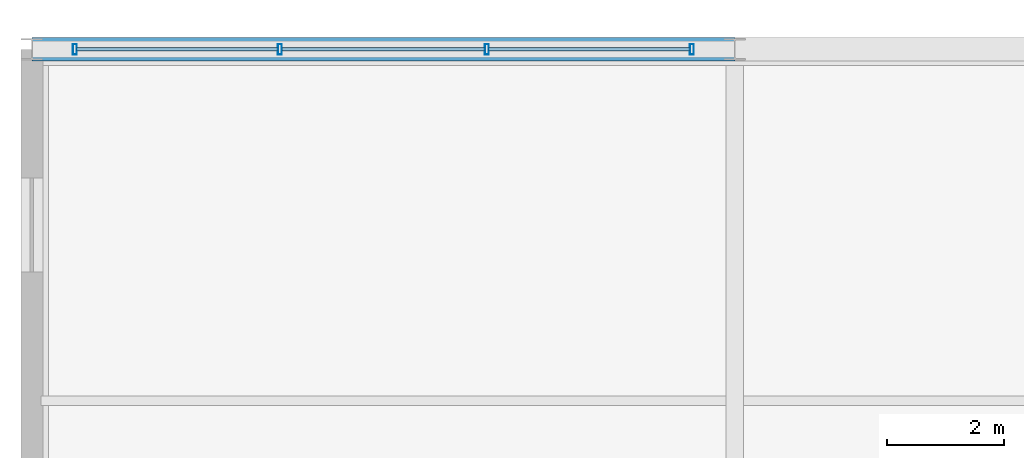
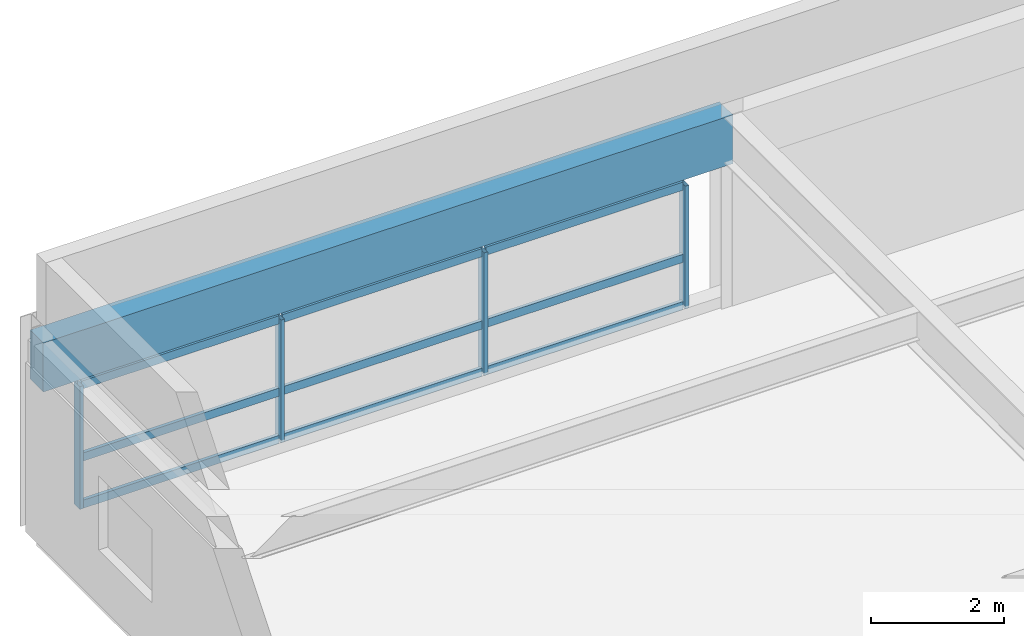
# One storey, part 43 of 108: 13 members, 1 beam, 1 element without a shape of its own.
"""IFC4 building model written with IfcOpenShell, lengths in metres."""

from ifc_helpers import new_model, si_unit, direction, frame, origin, origin_2d, place, context, subcontext, project, spatial, rectangle, hollow_rectangle, extrude, material, material_profile, profile_set, type_object, element, aggregate, save


model = new_model("IFC4")

# Units and contexts
model_context = context("Model", 3, precision=1e-05, world=origin(), true_north=direction((0.0, 1.0)))
body_context = subcontext(model_context, "Body", "Model", "MODEL_VIEW")
ifc_project = project(units=[si_unit("LENGTHUNIT", "METRE"), si_unit("AREAUNIT", "SQUARE_METRE"), si_unit("VOLUMEUNIT", "CUBIC_METRE"), si_unit("PLANEANGLEUNIT", "RADIAN"), si_unit("MASSUNIT", "GRAM", prefix="KILO")], contexts=[model_context])

# Site, building, storey
site_placement = place(None, origin())
site = spatial("IfcSite", under=ifc_project, at=site_placement, CompositionType="ELEMENT")
building_placement = place(site_placement, origin())
building = spatial("IfcBuilding", under=site, at=building_placement, Name="Kaldorvane Square Convention Centre", CompositionType="ELEMENT")
storey_placement = place(building_placement, frame((0.0, 0.0, 23.399993896484375)))
storey = spatial("IfcBuildingStorey", under=building, at=storey_placement, Name="L04", CompositionType="ELEMENT", Elevation=23.399993896484375)

# Beam
ifc_material_1 = material(Name="Concrete f'c = 42 MPa (Normalweight)", Category="concrete")
ifc_material_profile_1 = material_profile(ifc_material_1, rectangle(XDim=0.399993896484375, YDim=0.899993896484375, at=origin_2d()), Name="RCSP900X400")
ifc_profile_set_1 = profile_set([ifc_material_profile_1], Name="Concrete f'c = 42 MPa (Normalweight)")
beam_type = type_object("IfcBeamType", Name="BM-SP-RC900", PredefinedType="SPANDREL", material=ifc_profile_set_1)
beam_placement = place(storey_placement, frame((0.0, 117.0, 3.0760040283203125), z_axis=(1.0, 0.0, 0.0), x_axis=(0.0, 1.0, 0.0)))
element("IfcBeam", 1, at=beam_placement, inside=storey, type_object=beam_type, Name="Perimeter Spandrel (L04)", PredefinedType="SPANDREL", context=body_context, shape_type="SweptSolid", body=[
    extrude(rectangle(XDim=0.399993896484375, YDim=0.899993896484375, at=origin_2d()), origin(), (0.0, 0.0, 1.0), 12.0),
])

# Curtain wall, members
ifc_material_2 = material(Name="Anodized Aluminum and Low-E Insulated Glazing", Category="aluminium")
curtain_wall_type = type_object("IfcCurtainWallType", Name="CW-UNI-P42-09", PredefinedType="USERDEFINED", material=ifc_material_2)
curtain_wall_placement = place(storey_placement, origin())
curtain_wall = element("IfcCurtainWall", 2, at=curtain_wall_placement, inside=storey, type_object=curtain_wall_type, Name="Curtain Wall CW-06 (L04)", ObjectType="UNITISED GLAZING", PredefinedType="USERDEFINED")
ifc_material_profile_2 = material_profile(ifc_material_2, hollow_rectangle(XDim=0.06500244140625, YDim=0.17999267578125, WallThickness=0.0034942626953125, at=origin_2d()), Name="CWM-180X65")
ifc_profile_set_2 = profile_set([ifc_material_profile_2], Name="Anodized Aluminum and Low-E Insulated Glazing")
member_type_1 = type_object("IfcMemberType", Name="CW-MUL-180", PredefinedType="MULLION", material=ifc_profile_set_2)
member_1_placement = place(storey_placement, frame((11.267501831054688, 117.0, 0.1500091552734375), z_axis=(0.0, 0.0, 1.0), x_axis=(-1.0, 0.0, 0.0)))
member_1 = element("IfcMember", 3, at=member_1_placement, type_object=member_type_1, Name="CW-06 mullion 1", PredefinedType="MULLION", context=body_context, shape_type="SweptSolid", body=[
    extrude(hollow_rectangle(XDim=0.06500244140625, YDim=0.17999267578125, WallThickness=0.0034942626953125, at=origin_2d()), origin(), (0.0, 0.0, 1.0), 2.2599945068359375),
])
member_2_placement = place(storey_placement, frame((7.76666259765625, 117.0, 0.1500091552734375), z_axis=(0.0, 0.0, 1.0), x_axis=(-1.0, 0.0, 0.0)))
member_2 = element("IfcMember", 4, at=member_2_placement, type_object=member_type_1, Name="CW-06 mullion 2", PredefinedType="MULLION", context=body_context, shape_type="SweptSolid", body=[
    extrude(hollow_rectangle(XDim=0.06500244140625, YDim=0.17999267578125, WallThickness=0.0034942626953125, at=origin_2d()), origin(), (0.0, 0.0, 1.0), 2.2599945068359375),
])
member_3_placement = place(storey_placement, frame((4.23333740234375, 117.0, 0.1500091552734375), z_axis=(0.0, 0.0, 1.0), x_axis=(-1.0, 0.0, 0.0)))
member_3 = element("IfcMember", 5, at=member_3_placement, type_object=member_type_1, Name="CW-06 mullion 3", PredefinedType="MULLION", context=body_context, shape_type="SweptSolid", body=[
    extrude(hollow_rectangle(XDim=0.06500244140625, YDim=0.17999267578125, WallThickness=0.0034942626953125, at=origin_2d()), origin(), (0.0, 0.0, 1.0), 2.2599945068359375),
])
member_4_placement = place(storey_placement, frame((0.7324981689453125, 117.0, 0.1500091552734375), z_axis=(0.0, 0.0, 1.0), x_axis=(-1.0, 0.0, 0.0)))
member_4 = element("IfcMember", 6, at=member_4_placement, type_object=member_type_1, Name="CW-06 mullion 4", PredefinedType="MULLION", context=body_context, shape_type="SweptSolid", body=[
    extrude(hollow_rectangle(XDim=0.06500244140625, YDim=0.17999267578125, WallThickness=0.0034942626953125, at=origin_2d()), origin(), (0.0, 0.0, 1.0), 2.2599945068359375),
])
ifc_material_profile_3 = material_profile(ifc_material_2, hollow_rectangle(XDim=0.05999755859375, YDim=0.149993896484375, WallThickness=0.003204345703125, at=origin_2d()), Name="CWT-150X60")
ifc_profile_set_3 = profile_set([ifc_material_profile_3], Name="Anodized Aluminum and Low-E Insulated Glazing")
member_type_2 = type_object("IfcMemberType", Name="CW-TRN-150", PredefinedType="USERDEFINED", material=ifc_profile_set_3)
member_5_placement = place(storey_placement, frame((11.235000610351562, 117.0, 0.1800079345703125), z_axis=(-1.0, 0.0, 0.0), x_axis=(0.0, -1.0, 0.0)))
member_5 = element("IfcMember", 7, at=member_5_placement, type_object=member_type_2, Name="CW-06 transom 1.1", ObjectType="TRANSOM", PredefinedType="USERDEFINED", context=body_context, shape_type="SweptSolid", body=[
    extrude(hollow_rectangle(XDim=0.05999755859375, YDim=0.149993896484375, WallThickness=0.003204345703125, at=origin_2d()), origin(), (0.0, 0.0, 1.0), 3.4358367919921875),
])
member_6_placement = place(storey_placement, frame((11.235000610351562, 117.0, 1.0500030517578125), z_axis=(-1.0, 0.0, 0.0), x_axis=(0.0, -1.0, 0.0)))
member_6 = element("IfcMember", 8, at=member_6_placement, type_object=member_type_2, Name="CW-06 transom 1.2", ObjectType="TRANSOM", PredefinedType="USERDEFINED", context=body_context, shape_type="SweptSolid", body=[
    extrude(hollow_rectangle(XDim=0.05999755859375, YDim=0.149993896484375, WallThickness=0.003204345703125, at=origin_2d()), origin(), (0.0, 0.0, 1.0), 3.4358367919921875),
])
member_7_placement = place(storey_placement, frame((11.235000610351562, 117.0, 2.3800048828125), z_axis=(-1.0, 0.0, 0.0), x_axis=(0.0, -1.0, 0.0)))
member_7 = element("IfcMember", 9, at=member_7_placement, type_object=member_type_2, Name="CW-06 transom 1.3", ObjectType="TRANSOM", PredefinedType="USERDEFINED", context=body_context, shape_type="SweptSolid", body=[
    extrude(hollow_rectangle(XDim=0.05999755859375, YDim=0.149993896484375, WallThickness=0.003204345703125, at=origin_2d()), origin(), (0.0, 0.0, 1.0), 3.4358367919921875),
])
member_8_placement = place(storey_placement, frame((7.734161376953125, 117.0, 0.1800079345703125), z_axis=(-1.0, 0.0, 0.0), x_axis=(0.0, -1.0, 0.0)))
member_8 = element("IfcMember", 10, at=member_8_placement, type_object=member_type_2, Name="CW-06 transom 2.1", ObjectType="TRANSOM", PredefinedType="USERDEFINED", context=body_context, shape_type="SweptSolid", body=[
    extrude(hollow_rectangle(XDim=0.05999755859375, YDim=0.149993896484375, WallThickness=0.003204345703125, at=origin_2d()), origin(), (0.0, 0.0, 1.0), 3.46832275390625),
])
member_9_placement = place(storey_placement, frame((7.734161376953125, 117.0, 1.0500030517578125), z_axis=(-1.0, 0.0, 0.0), x_axis=(0.0, -1.0, 0.0)))
member_9 = element("IfcMember", 11, at=member_9_placement, type_object=member_type_2, Name="CW-06 transom 2.2", ObjectType="TRANSOM", PredefinedType="USERDEFINED", context=body_context, shape_type="SweptSolid", body=[
    extrude(hollow_rectangle(XDim=0.05999755859375, YDim=0.149993896484375, WallThickness=0.003204345703125, at=origin_2d()), origin(), (0.0, 0.0, 1.0), 3.46832275390625),
])
member_10_placement = place(storey_placement, frame((7.734161376953125, 117.0, 2.3800048828125), z_axis=(-1.0, 0.0, 0.0), x_axis=(0.0, -1.0, 0.0)))
member_10 = element("IfcMember", 12, at=member_10_placement, type_object=member_type_2, Name="CW-06 transom 2.3", ObjectType="TRANSOM", PredefinedType="USERDEFINED", context=body_context, shape_type="SweptSolid", body=[
    extrude(hollow_rectangle(XDim=0.05999755859375, YDim=0.149993896484375, WallThickness=0.003204345703125, at=origin_2d()), origin(), (0.0, 0.0, 1.0), 3.46832275390625),
])
member_11_placement = place(storey_placement, frame((4.200836181640625, 117.0, 0.1800079345703125), z_axis=(-1.0, 0.0, 0.0), x_axis=(0.0, -1.0, 0.0)))
member_11 = element("IfcMember", 13, at=member_11_placement, type_object=member_type_2, Name="CW-06 transom 3.1", ObjectType="TRANSOM", PredefinedType="USERDEFINED", context=body_context, shape_type="SweptSolid", body=[
    extrude(hollow_rectangle(XDim=0.05999755859375, YDim=0.149993896484375, WallThickness=0.003204345703125, at=origin_2d()), origin(), (0.0, 0.0, 1.0), 3.4358367919921875),
])
member_12_placement = place(storey_placement, frame((4.200836181640625, 117.0, 1.0500030517578125), z_axis=(-1.0, 0.0, 0.0), x_axis=(0.0, -1.0, 0.0)))
member_12 = element("IfcMember", 14, at=member_12_placement, type_object=member_type_2, Name="CW-06 transom 3.2", ObjectType="TRANSOM", PredefinedType="USERDEFINED", context=body_context, shape_type="SweptSolid", body=[
    extrude(hollow_rectangle(XDim=0.05999755859375, YDim=0.149993896484375, WallThickness=0.003204345703125, at=origin_2d()), origin(), (0.0, 0.0, 1.0), 3.4358367919921875),
])
member_13_placement = place(storey_placement, frame((4.200836181640625, 117.0, 2.3800048828125), z_axis=(-1.0, 0.0, 0.0), x_axis=(0.0, -1.0, 0.0)))
member_13 = element("IfcMember", 15, at=member_13_placement, type_object=member_type_2, Name="CW-06 transom 3.3", ObjectType="TRANSOM", PredefinedType="USERDEFINED", context=body_context, shape_type="SweptSolid", body=[
    extrude(hollow_rectangle(XDim=0.05999755859375, YDim=0.149993896484375, WallThickness=0.003204345703125, at=origin_2d()), origin(), (0.0, 0.0, 1.0), 3.4358367919921875),
])
aggregate(curtain_wall, [member_1, member_2, member_3, member_4, member_5, member_6, member_7, member_8, member_9, member_10, member_11, member_12, member_13])

save(model, "model.ifc")
